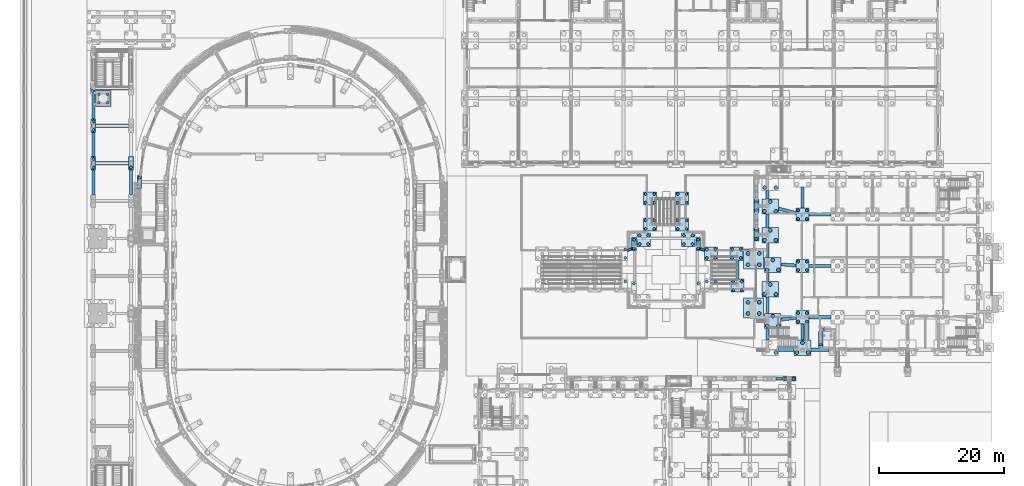
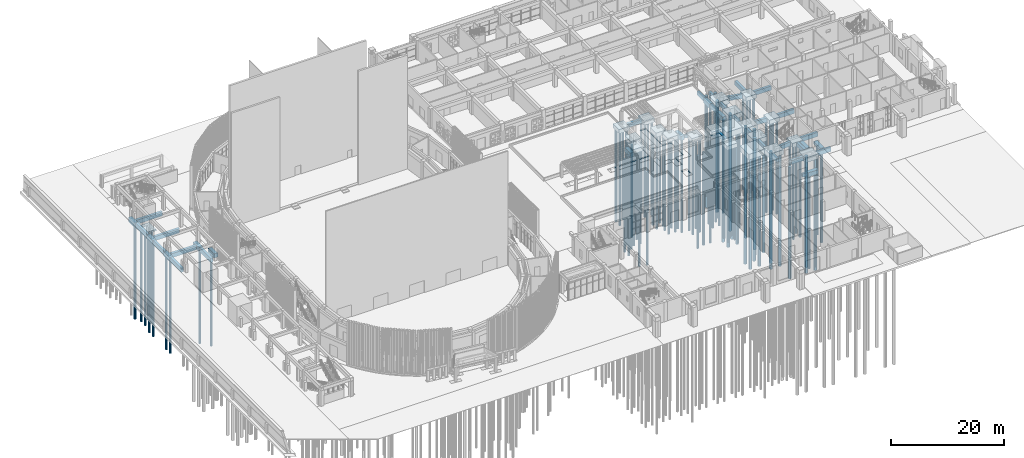
# One storey, part 6 of 112: 107 piles, 63 footings.
"""IFC4 building model written with IfcOpenShell, lengths in metres."""

from ifc_helpers import new_model, si_unit, direction, frame, origin, origin_2d, place, context, subcontext, project, spatial, rectangle, circle, extrude, material, material_profile, profile_set, type_object, element, save


model = new_model("IFC4")

# Units and contexts
model_context = context("Model", 3, precision=1e-05, world=origin(), true_north=direction((0.0, 1.0)))
body_context = subcontext(model_context, "Body", "Model", "MODEL_VIEW")
ifc_project = project(units=[si_unit("LENGTHUNIT", "METRE"), si_unit("AREAUNIT", "SQUARE_METRE"), si_unit("VOLUMEUNIT", "CUBIC_METRE"), si_unit("PLANEANGLEUNIT", "RADIAN"), si_unit("MASSUNIT", "GRAM", prefix="KILO")], contexts=[model_context])

# Site, building, storey
site_placement = place(None, origin())
site = spatial("IfcSite", under=ifc_project, at=site_placement, CompositionType="ELEMENT")
building_placement = place(site_placement, origin())
building = spatial("IfcBuilding", under=site, at=building_placement, Name="Wasatch Bagh Community Centre", CompositionType="ELEMENT")
storey_placement = place(building_placement, origin())
storey = spatial("IfcBuildingStorey", under=building, at=storey_placement, Name="L00", CompositionType="ELEMENT", Elevation=0.0)

# Footings
ifc_material_1 = material(Name="Concrete C30", Category="concrete")
footing_type_1 = type_object("IfcFootingType", Name="CT-F1", PredefinedType="PILE_CAP", material=ifc_material_1)
footing_1_placement = place(storey_placement, frame((6.050048828125, 78.35009765625, -1.7001953125), z_axis=(0.0, 0.0, 1.0), x_axis=(1.0, 0.0, 0.0)))
element("IfcFooting", 1, at=footing_1_placement, inside=storey, type_object=footing_type_1, Name="LC2 pit raft", PredefinedType="PILE_CAP", context=body_context, shape_type="SweptSolid", body=[
    extrude(rectangle(XDim=2.5, YDim=2.5, at=origin_2d()), origin(), (0.0, 0.0, 1.0), 0.300048828125),
])
ifc_material_2 = material(Name="Concrete C35", Category="concrete")
footing_type_2 = type_object("IfcFootingType", Name="FD-GB-A", PredefinedType="FOOTING_BEAM", material=ifc_material_2)
footing_2_placement = place(storey_placement, frame((114.125, 33.550048828125, -0.89990234375), z_axis=(0.0, 0.0, 1.0), x_axis=(1.0, 0.0, 0.0)))
element("IfcFooting", 2, at=footing_2_placement, inside=storey, type_object=footing_type_2, Name="GB ground beam 7", PredefinedType="FOOTING_BEAM", context=body_context, shape_type="SweptSolid", body=[
    extrude(rectangle(XDim=1.050048828125, YDim=0.39990234375, at=origin_2d()), origin(), (0.0, 0.0, 1.0), 0.699951171875),
])
footing_type_3 = type_object("IfcFootingType", Name="FD-GB-B", PredefinedType="FOOTING_BEAM", material=ifc_material_2)
for number, where, z_axis, x_axis, name in (
    (3, (110.449951171875, 58.89990234375, -1.0), (0.0, 0.0, 1.0), (0.0, 1.0, 0.0), "GB ground beam 8"),
    (4, (110.449951171875, 63.5, -1.0), (0.0, 0.0, 1.0), (0.0, 1.0, 0.0), "GB ground beam 9"),
):
    element("IfcFooting", number, at=place(storey_placement, frame(where, z_axis=z_axis, x_axis=x_axis)), inside=storey, type_object=footing_type_3, Name=name, PredefinedType="FOOTING_BEAM", context=body_context, shape_type="SweptSolid", body=[
        extrude(rectangle(XDim=2.5, YDim=0.449951171875, at=origin_2d()), origin(), (0.0, 0.0, 1.0), 0.800048828125),
    ])
footing_3_placement = place(storey_placement, frame((112.199951171875, 40.675048828125, -1.0), z_axis=(0.0, 0.0, 1.0), x_axis=(0.0, 1.0, 0.0)))
element("IfcFooting", 5, at=footing_3_placement, inside=storey, type_object=footing_type_3, Name="GB ground beam 293", PredefinedType="FOOTING_BEAM", context=body_context, shape_type="SweptSolid", body=[
    extrude(rectangle(XDim=1.791015625, YDim=0.449951171875, at=origin_2d()), origin(), (0.0, 0.0, 1.0), 0.800048828125),
])
footing_4_placement = place(storey_placement, frame((112.199951171875, 63.0, -1.0), z_axis=(0.0, 0.0, 1.0), x_axis=(0.0, -1.0, 0.0)))
element("IfcFooting", 6, at=footing_4_placement, inside=storey, type_object=footing_type_3, Name="GB ground beam 301", PredefinedType="FOOTING_BEAM", context=body_context, shape_type="SweptSolid", body=[
    extrude(rectangle(XDim=1.341064453125, YDim=0.449951171875, at=origin_2d()), origin(), (0.0, 0.0, 1.0), 0.800048828125),
])
footing_5_placement = place(storey_placement, frame((112.199951171875, 45.324951171875, -1.0), z_axis=(0.0, 0.0, 1.0), x_axis=(0.0, 1.0, 0.0)))
element("IfcFooting", 7, at=footing_5_placement, inside=storey, type_object=footing_type_3, Name="GB ground beam 308", PredefinedType="FOOTING_BEAM", context=body_context, shape_type="SweptSolid", body=[
    extrude(rectangle(XDim=2.591064453125, YDim=0.449951171875, at=origin_2d()), origin(), (0.0, 0.0, 1.0), 0.800048828125),
])
footing_6_placement = place(storey_placement, frame((112.199951171875, 49.800048828125, -1.0), z_axis=(0.0, 0.0, 1.0), x_axis=(0.0, 1.0, 0.0)))
element("IfcFooting", 8, at=footing_6_placement, inside=storey, type_object=footing_type_3, Name="GB ground beam 309", PredefinedType="FOOTING_BEAM", context=body_context, shape_type="SweptSolid", body=[
    extrude(rectangle(XDim=1.44091796875, YDim=0.449951171875, at=origin_2d()), origin(), (0.0, 0.0, 1.0), 0.800048828125),
])
footing_7_placement = place(storey_placement, frame((112.199951171875, 54.125, -1.0), z_axis=(0.0, 0.0, 1.0), x_axis=(0.0, 1.0, 0.0)))
element("IfcFooting", 9, at=footing_7_placement, inside=storey, type_object=footing_type_3, Name="GB ground beam 310", PredefinedType="FOOTING_BEAM", context=body_context, shape_type="SweptSolid", body=[
    extrude(rectangle(XDim=2.291015625, YDim=0.449951171875, at=origin_2d()), origin(), (0.0, 0.0, 1.0), 0.800048828125),
])
footing_8_placement = place(storey_placement, frame((112.199951171875, 58.800048828125, -1.0), z_axis=(0.0, 0.0, 1.0), x_axis=(0.0, 1.0, 0.0)))
element("IfcFooting", 10, at=footing_8_placement, inside=storey, type_object=footing_type_3, Name="GB ground beam 311", PredefinedType="FOOTING_BEAM", context=body_context, shape_type="SweptSolid", body=[
    extrude(rectangle(XDim=2.14111328125, YDim=0.449951171875, at=origin_2d()), origin(), (0.0, 0.0, 1.0), 0.800048828125),
])
footing_type_4 = type_object("IfcFootingType", Name="FD-GB-C", PredefinedType="FOOTING_BEAM", material=ifc_material_2)
for number, where, z_axis, x_axis, name in (
    (11, (4.5, 65.0, -1.099853515625), (0.0, 0.0, 1.0), (0.0, 1.0, 0.0), "GB ground beam 30"),
    (12, (10.5, 65.0, -1.099853515625), (0.0, 0.0, 1.0), (0.0, 1.0, 0.0), "GB ground beam 31"),
):
    element("IfcFooting", number, at=place(storey_placement, frame(where, z_axis=z_axis, x_axis=x_axis)), inside=storey, type_object=footing_type_4, Name=name, PredefinedType="FOOTING_BEAM", context=body_context, shape_type="SweptSolid", body=[
        extrude(rectangle(XDim=3.89990234375, YDim=0.5, at=origin_2d()), origin(), (0.0, 0.0, 1.0), 0.89990234375),
    ])
footing_9_placement = place(storey_placement, frame((7.5, 68.0, -1.099853515625), z_axis=(0.0, 0.0, 1.0), x_axis=(1.0, 0.0, 0.0)))
element("IfcFooting", 13, at=footing_9_placement, inside=storey, type_object=footing_type_4, Name="GB ground beam 32", PredefinedType="FOOTING_BEAM", context=body_context, shape_type="SweptSolid", body=[
    extrude(rectangle(XDim=5.25, YDim=0.5, at=origin_2d()), origin(), (0.0, 0.0, 1.0), 0.89990234375),
])
footing_10_placement = place(storey_placement, frame((4.5, 71.0, -1.099853515625), z_axis=(0.0, 0.0, 1.0), x_axis=(0.0, 1.0, 0.0)))
element("IfcFooting", 14, at=footing_10_placement, inside=storey, type_object=footing_type_4, Name="GB ground beam 33", PredefinedType="FOOTING_BEAM", context=body_context, shape_type="SweptSolid", body=[
    extrude(rectangle(XDim=3.89990234375, YDim=0.5, at=origin_2d()), origin(), (0.0, 0.0, 1.0), 0.89990234375),
])
footing_11_placement = place(storey_placement, frame((7.5, 74.0, -1.099853515625), z_axis=(0.0, 0.0, 1.0), x_axis=(1.0, 0.0, 0.0)))
element("IfcFooting", 15, at=footing_11_placement, inside=storey, type_object=footing_type_4, Name="GB ground beam 35", PredefinedType="FOOTING_BEAM", context=body_context, shape_type="SweptSolid", body=[
    extrude(rectangle(XDim=5.25, YDim=0.5, at=origin_2d()), origin(), (0.0, 0.0, 1.0), 0.89990234375),
])
footing_12_placement = place(storey_placement, frame((4.5, 77.112548828125, -1.099853515625), z_axis=(0.0, 0.0, 1.0), x_axis=(0.0, 1.0, 0.0)))
element("IfcFooting", 16, at=footing_12_placement, inside=storey, type_object=footing_type_4, Name="GB ground beam 36", PredefinedType="FOOTING_BEAM", context=body_context, shape_type="SweptSolid", body=[
    extrude(rectangle(XDim=4.125, YDim=0.5, at=origin_2d()), origin(), (0.0, 0.0, 1.0), 0.89990234375),
])
footing_13_placement = place(storey_placement, frame((7.4375, 80.0, -1.099853515625), z_axis=(0.0, 0.0, 1.0), x_axis=(-1.0, 0.0, 0.0)))
element("IfcFooting", 17, at=footing_13_placement, inside=storey, type_object=footing_type_4, Name="GB ground beam 38", PredefinedType="FOOTING_BEAM", context=body_context, shape_type="SweptSolid", body=[
    extrude(rectangle(XDim=5.375, YDim=0.5, at=origin_2d()), origin(), (0.0, 0.0, 1.0), 0.89990234375),
])
footing_14_placement = place(storey_placement, frame((120.60009765625, 43.39990234375, -1.099853515625), z_axis=(0.0, 0.0, 1.0), x_axis=(1.0, 0.0, 0.0)))
element("IfcFooting", 18, at=footing_14_placement, inside=storey, type_object=footing_type_4, Name="GB ground beam 264", PredefinedType="FOOTING_BEAM", context=body_context, shape_type="SweptSolid", body=[
    extrude(rectangle(XDim=3.5, YDim=0.5, at=origin_2d()), origin(), (0.0, 0.0, 1.0), 0.89990234375),
])
footing_15_placement = place(storey_placement, frame((117.800048828125, 41.064697265625, -1.099853515625), z_axis=(0.0, 0.0, 1.0), x_axis=(0.0, -1.0, 0.0)))
element("IfcFooting", 19, at=footing_15_placement, inside=storey, type_object=footing_type_4, Name="GB ground beam 265", PredefinedType="FOOTING_BEAM", context=body_context, shape_type="SweptSolid", body=[
    extrude(rectangle(XDim=2.570556640625, YDim=0.5, at=origin_2d()), origin(), (0.0, 0.0, 1.0), 0.89990234375),
])
footing_16_placement = place(storey_placement, frame((115.574951171875, 43.16162109375, -1.099853515625), z_axis=(0.0, 0.0, 1.0), x_axis=(-0.99430915392, -0.106533123629, 0.0)))
element("IfcFooting", 20, at=footing_16_placement, inside=storey, type_object=footing_type_4, Name="GB ground beam 266", PredefinedType="FOOTING_BEAM", context=body_context, shape_type="SweptSolid", body=[
    extrude(rectangle(XDim=2.363525390625, YDim=0.5, at=origin_2d()), origin(), (0.0, 0.0, 1.0), 0.89990234375),
])
footing_17_placement = place(storey_placement, frame((120.60009765625, 51.60009765625, -1.099853515625), z_axis=(0.0, 0.0, 1.0), x_axis=(1.0, 0.0, 0.0)))
element("IfcFooting", 21, at=footing_17_placement, inside=storey, type_object=footing_type_4, Name="GB ground beam 275", PredefinedType="FOOTING_BEAM", context=body_context, shape_type="SweptSolid", body=[
    extrude(rectangle(XDim=3.5, YDim=0.5, at=origin_2d()), origin(), (0.0, 0.0, 1.0), 0.89990234375),
])
footing_18_placement = place(storey_placement, frame((115.574951171875, 51.759033203125, -1.099853515625), z_axis=(0.0, 0.0, 1.0), x_axis=(-0.997458699831, 0.071247049988, 0.0)))
element("IfcFooting", 22, at=footing_18_placement, inside=storey, type_object=footing_type_4, Name="GB ground beam 276", PredefinedType="FOOTING_BEAM", context=body_context, shape_type="SweptSolid", body=[
    extrude(rectangle(XDim=2.35595703125, YDim=0.5, at=origin_2d()), origin(), (0.0, 0.0, 1.0), 0.89990234375),
])
footing_19_placement = place(storey_placement, frame((120.60009765625, 59.800048828125, -1.099853515625), z_axis=(0.0, 0.0, 1.0), x_axis=(1.0, 0.0, 0.0)))
element("IfcFooting", 23, at=footing_19_placement, inside=storey, type_object=footing_type_4, Name="GB ground beam 281", PredefinedType="FOOTING_BEAM", context=body_context, shape_type="SweptSolid", body=[
    extrude(rectangle(XDim=3.5, YDim=0.5, at=origin_2d()), origin(), (0.0, 0.0, 1.0), 0.89990234375),
])
footing_20_placement = place(storey_placement, frame((117.800048828125, 62.53515625, -1.099853515625), z_axis=(0.0, 0.0, 1.0), x_axis=(0.0, 1.0, 0.0)))
element("IfcFooting", 24, at=footing_20_placement, inside=storey, type_object=footing_type_4, Name="GB ground beam 282", PredefinedType="FOOTING_BEAM", context=body_context, shape_type="SweptSolid", body=[
    extrude(rectangle(XDim=3.37060546875, YDim=0.5, at=origin_2d()), origin(), (0.0, 0.0, 1.0), 0.89990234375),
])
footing_21_placement = place(storey_placement, frame((115.375, 60.40625, -1.099853515625), z_axis=(0.0, 0.0, 1.0), x_axis=(-0.970142500145, 0.242535625038, 0.0)))
element("IfcFooting", 25, at=footing_21_placement, inside=storey, type_object=footing_type_4, Name="GB ground beam 283", PredefinedType="FOOTING_BEAM", context=body_context, shape_type="SweptSolid", body=[
    extrude(rectangle(XDim=2.834716796875, YDim=0.5, at=origin_2d()), origin(), (0.0, 0.0, 1.0), 0.89990234375),
])
footing_22_placement = place(storey_placement, frame((115.22509765625, 38.199951171875, -1.099853515625), z_axis=(0.0, 0.0, 1.0), x_axis=(1.0, 0.0, 0.0)))
element("IfcFooting", 26, at=footing_22_placement, inside=storey, type_object=footing_type_4, Name="GB ground beam 292", PredefinedType="FOOTING_BEAM", context=body_context, shape_type="SweptSolid", body=[
    extrude(rectangle(XDim=2.449951171875, YDim=0.5, at=origin_2d()), origin(), (0.0, 0.0, 1.0), 0.89990234375),
])
footing_23_placement = place(storey_placement, frame((120.60009765625, 38.199951171875, -1.099853515625), z_axis=(0.0, 0.0, 1.0), x_axis=(1.0, 0.0, 0.0)))
element("IfcFooting", 27, at=footing_23_placement, inside=storey, type_object=footing_type_4, Name="GB ground beam 294", PredefinedType="FOOTING_BEAM", context=body_context, shape_type="SweptSolid", body=[
    extrude(rectangle(XDim=2.89990234375, YDim=0.5, at=origin_2d()), origin(), (0.0, 0.0, 1.0), 0.89990234375),
])
for number, where, z_axis, x_axis, name in (
    (28, (107.39990234375, 51.0, -1.099853515625), (0.0, 0.0, 1.0), (0.0, 1.0, 0.0), "GB ground beam 330"),
    (29, (96.0, 62.39990234375, -1.099853515625), (0.0, 0.0, 1.0), (1.0, 0.0, 0.0), "GB ground beam 333"),
):
    element("IfcFooting", number, at=place(storey_placement, frame(where, z_axis=z_axis, x_axis=x_axis)), inside=storey, type_object=footing_type_4, Name=name, PredefinedType="FOOTING_BEAM", context=body_context, shape_type="SweptSolid", body=[
        extrude(rectangle(XDim=3.0, YDim=0.5, at=origin_2d()), origin(), (0.0, 0.0, 1.0), 0.89990234375),
    ])
footing_type_5 = type_object("IfcFootingType", Name="FD-GB-S", PredefinedType="FOOTING_BEAM", material=ifc_material_2)
for number, where, z_axis, x_axis, name in (
    (30, (90.175048828125, 54.206298828125, -0.800048828125), (0.0, 0.0, 1.0), (0.90248103778, 0.430729586222, 0.0), "GB ground beam 320"),
    (31, (101.824951171875, 54.206298828125, -0.800048828125), (0.0, 0.0, 1.0), (-0.90248103778, 0.430729586222, 0.0), "GB ground beam 329"),
):
    element("IfcFooting", number, at=place(storey_placement, frame(where, z_axis=z_axis, x_axis=x_axis)), inside=storey, type_object=footing_type_5, Name=name, PredefinedType="FOOTING_BEAM", context=body_context, shape_type="SweptSolid", body=[
        extrude(rectangle(XDim=0.72021484375, YDim=0.35009765625, at=origin_2d()), origin(), (0.0, 0.0, 1.0), 0.60009765625),
    ])

# Piles
ifc_material_profile_1 = material_profile(ifc_material_1, circle(Radius=0.22509765625, at=origin_2d()), Name="RC D450")
ifc_profile_set_1 = profile_set([ifc_material_profile_1], Name="Concrete C30")
pile_type_1 = type_object("IfcPileType", Name="FD-P450", PredefinedType="BORED", material=ifc_profile_set_1)
for number, where, z_axis, x_axis, name in (
    (32, (5.375, 77.675048828125, -1.699951171875), (0.0, 0.0, -1.0), (1.0, 0.0, 0.0), "CT.pile.L00.LIFT2.1"),
    (33, (6.72509765625, 77.675048828125, -1.699951171875), (0.0, 0.0, -1.0), (1.0, 0.0, 0.0), "CT.pile.L00.LIFT2.2"),
    (34, (5.375, 79.02490234375, -1.699951171875), (0.0, 0.0, -1.0), (1.0, 0.0, 0.0), "CT.pile.L00.LIFT2.3"),
    (35, (6.72509765625, 79.02490234375, -1.699951171875), (0.0, 0.0, -1.0), (1.0, 0.0, 0.0), "CT.pile.L00.LIFT2.4"),
    (36, (115.02490234375, 33.550048828125, -1.10009765625), (0.0, 0.0, -1.0), (1.0, 0.0, 0.0), "P pile 13.1"),
    (37, (116.375, 33.550048828125, -1.10009765625), (0.0, 0.0, -1.0), (1.0, 0.0, 0.0), "P pile 13.2"),
    (38, (110.449951171875, 55.925048828125, -1.10009765625), (0.0, 0.0, -1.0), (1.0, 0.0, 0.0), "P pile 16.1"),
    (39, (110.449951171875, 57.27490234375, -1.10009765625), (0.0, 0.0, -1.0), (1.0, 0.0, 0.0), "P pile 16.2"),
    (40, (110.449951171875, 60.52490234375, -1.10009765625), (0.0, 0.0, -1.0), (1.0, 0.0, 0.0), "P pile 17.1"),
    (41, (110.449951171875, 61.875, -1.10009765625), (0.0, 0.0, -1.0), (1.0, 0.0, 0.0), "P pile 17.2"),
    (42, (4.5, 67.324951171875, -1.10009765625), (0.0, 0.0, -1.0), (1.0, 0.0, 0.0), "P pile 41.1"),
    (43, (4.5, 68.675048828125, -1.10009765625), (0.0, 0.0, -1.0), (1.0, 0.0, 0.0), "P pile 41.2"),
    (44, (10.5, 67.324951171875, -1.10009765625), (0.0, 0.0, -1.0), (1.0, 0.0, 0.0), "P pile 42.1"),
    (45, (4.5, 73.324951171875, -1.10009765625), (0.0, 0.0, -1.0), (1.0, 0.0, 0.0), "P pile 43.1"),
    (46, (4.5, 74.675048828125, -1.10009765625), (0.0, 0.0, -1.0), (1.0, 0.0, 0.0), "P pile 43.2"),
    (47, (4.375, 79.550048828125, -1.10009765625), (0.0, 0.0, -1.0), (1.0, 0.0, 0.0), "P pile 46.1"),
    (48, (11.85009765625, 65.675048828125, -1.10009765625), (0.0, 0.0, -1.0), (1.0, 0.0, 0.0), "P pile 125.2"),
    (49, (117.125, 42.72509765625, -1.10009765625), (0.0, 0.0, -1.0), (1.0, 0.0, 0.0), "P pile 266.1"),
    (50, (118.47509765625, 42.72509765625, -1.10009765625), (0.0, 0.0, -1.0), (1.0, 0.0, 0.0), "P pile 266.2"),
    (51, (117.125, 44.074951171875, -1.10009765625), (0.0, 0.0, -1.0), (1.0, 0.0, 0.0), "P pile 266.3"),
    (52, (118.47509765625, 44.074951171875, -1.10009765625), (0.0, 0.0, -1.0), (1.0, 0.0, 0.0), "P pile 266.4"),
    (53, (117.125, 50.925048828125, -1.10009765625), (0.0, 0.0, -1.0), (1.0, 0.0, 0.0), "P pile 273.1"),
    (54, (118.47509765625, 50.925048828125, -1.10009765625), (0.0, 0.0, -1.0), (1.0, 0.0, 0.0), "P pile 273.2"),
    (55, (117.125, 52.27490234375, -1.10009765625), (0.0, 0.0, -1.0), (1.0, 0.0, 0.0), "P pile 273.3"),
    (56, (118.47509765625, 52.27490234375, -1.10009765625), (0.0, 0.0, -1.0), (1.0, 0.0, 0.0), "P pile 273.4"),
    (57, (117.125, 59.125, -1.10009765625), (0.0, 0.0, -1.0), (1.0, 0.0, 0.0), "P pile 282.1"),
    (58, (118.47509765625, 59.125, -1.10009765625), (0.0, 0.0, -1.0), (1.0, 0.0, 0.0), "P pile 282.2"),
    (59, (117.125, 60.47509765625, -1.10009765625), (0.0, 0.0, -1.0), (1.0, 0.0, 0.0), "P pile 282.3"),
    (60, (118.47509765625, 60.47509765625, -1.10009765625), (0.0, 0.0, -1.0), (1.0, 0.0, 0.0), "P pile 282.4"),
    (61, (90.875, 48.77490234375, -1.10009765625), (0.0, 0.0, -1.0), (1.0, 0.0, 0.0), "P pile 298.2"),
    (62, (101.125, 48.77490234375, -1.10009765625), (0.0, 0.0, -1.0), (1.0, 0.0, 0.0), "P pile 299.2"),
    (63, (89.47509765625, 49.125, -1.10009765625), (0.0, 0.0, -1.0), (1.0, 0.0, 0.0), "P pile 303.4"),
    (64, (102.52490234375, 49.125, -1.10009765625), (0.0, 0.0, -1.0), (1.0, 0.0, 0.0), "P pile 304.3"),
    (65, (103.875, 49.125, -1.10009765625), (0.0, 0.0, -1.0), (1.0, 0.0, 0.0), "P pile 304.4"),
    (66, (106.72509765625, 47.77490234375, -1.10009765625), (0.0, 0.0, -1.0), (1.0, 0.0, 0.0), "P pile 305.1"),
    (67, (108.074951171875, 47.77490234375, -1.10009765625), (0.0, 0.0, -1.0), (1.0, 0.0, 0.0), "P pile 305.2"),
    (68, (106.72509765625, 49.125, -1.10009765625), (0.0, 0.0, -1.0), (1.0, 0.0, 0.0), "P pile 305.3"),
    (69, (108.074951171875, 49.125, -1.10009765625), (0.0, 0.0, -1.0), (1.0, 0.0, 0.0), "P pile 305.4"),
    (70, (89.47509765625, 52.875, -1.10009765625), (0.0, 0.0, -1.0), (1.0, 0.0, 0.0), "P pile 309.2"),
    (71, (89.47509765625, 54.22509765625, -1.10009765625), (0.0, 0.0, -1.0), (1.0, 0.0, 0.0), "P pile 309.4"),
    (72, (102.52490234375, 52.875, -1.10009765625), (0.0, 0.0, -1.0), (1.0, 0.0, 0.0), "P pile 310.1"),
    (73, (103.875, 52.875, -1.10009765625), (0.0, 0.0, -1.0), (1.0, 0.0, 0.0), "P pile 310.2"),
    (74, (102.52490234375, 54.22509765625, -1.10009765625), (0.0, 0.0, -1.0), (1.0, 0.0, 0.0), "P pile 310.3"),
    (75, (103.875, 54.22509765625, -1.10009765625), (0.0, 0.0, -1.0), (1.0, 0.0, 0.0), "P pile 310.4"),
    (76, (106.574951171875, 52.875, -1.10009765625), (0.0, 0.0, -1.0), (1.0, 0.0, 0.0), "P pile 311.1"),
    (77, (107.925048828125, 52.875, -1.10009765625), (0.0, 0.0, -1.0), (1.0, 0.0, 0.0), "P pile 311.2"),
    (78, (106.574951171875, 54.22509765625, -1.10009765625), (0.0, 0.0, -1.0), (1.0, 0.0, 0.0), "P pile 311.3"),
    (79, (107.925048828125, 54.22509765625, -1.10009765625), (0.0, 0.0, -1.0), (1.0, 0.0, 0.0), "P pile 311.4"),
    (80, (90.875, 54.425048828125, -1.10009765625), (0.0, 0.0, -1.0), (1.0, 0.0, 0.0), "P pile 312.1"),
    (81, (90.875, 55.77490234375, -1.10009765625), (0.0, 0.0, -1.0), (1.0, 0.0, 0.0), "P pile 312.2"),
    (82, (101.125, 54.425048828125, -1.10009765625), (0.0, 0.0, -1.0), (1.0, 0.0, 0.0), "P pile 313.1"),
    (83, (101.125, 55.77490234375, -1.10009765625), (0.0, 0.0, -1.0), (1.0, 0.0, 0.0), "P pile 313.2"),
    (84, (91.77490234375, 55.10009765625, -1.10009765625), (0.0, 0.0, -1.0), (1.0, 0.0, 0.0), "P pile 314.1"),
    (85, (93.125, 55.10009765625, -1.10009765625), (0.0, 0.0, -1.0), (1.0, 0.0, 0.0), "P pile 314.2"),
    (86, (91.77490234375, 56.449951171875, -1.10009765625), (0.0, 0.0, -1.0), (1.0, 0.0, 0.0), "P pile 314.3"),
    (87, (93.125, 56.449951171875, -1.10009765625), (0.0, 0.0, -1.0), (1.0, 0.0, 0.0), "P pile 314.4"),
    (88, (98.875, 55.10009765625, -1.10009765625), (0.0, 0.0, -1.0), (1.0, 0.0, 0.0), "P pile 315.1"),
    (89, (100.22509765625, 55.10009765625, -1.10009765625), (0.0, 0.0, -1.0), (1.0, 0.0, 0.0), "P pile 315.2"),
    (90, (98.875, 56.449951171875, -1.10009765625), (0.0, 0.0, -1.0), (1.0, 0.0, 0.0), "P pile 315.3"),
    (91, (100.22509765625, 56.449951171875, -1.10009765625), (0.0, 0.0, -1.0), (1.0, 0.0, 0.0), "P pile 315.4"),
    (92, (92.77490234375, 57.52490234375, -1.10009765625), (0.0, 0.0, -1.0), (1.0, 0.0, 0.0), "P pile 316.1"),
    (93, (94.125, 57.52490234375, -1.10009765625), (0.0, 0.0, -1.0), (1.0, 0.0, 0.0), "P pile 316.2"),
    (94, (92.77490234375, 58.875, -1.10009765625), (0.0, 0.0, -1.0), (1.0, 0.0, 0.0), "P pile 316.3"),
    (95, (94.125, 58.875, -1.10009765625), (0.0, 0.0, -1.0), (1.0, 0.0, 0.0), "P pile 316.4"),
    (96, (97.875, 57.52490234375, -1.10009765625), (0.0, 0.0, -1.0), (1.0, 0.0, 0.0), "P pile 317.1"),
    (97, (99.22509765625, 57.52490234375, -1.10009765625), (0.0, 0.0, -1.0), (1.0, 0.0, 0.0), "P pile 317.2"),
    (98, (97.875, 58.875, -1.10009765625), (0.0, 0.0, -1.0), (1.0, 0.0, 0.0), "P pile 317.3"),
    (99, (99.22509765625, 58.875, -1.10009765625), (0.0, 0.0, -1.0), (1.0, 0.0, 0.0), "P pile 317.4"),
    (100, (92.77490234375, 61.72509765625, -1.10009765625), (0.0, 0.0, -1.0), (1.0, 0.0, 0.0), "P pile 318.1"),
    (101, (94.125, 61.72509765625, -1.10009765625), (0.0, 0.0, -1.0), (1.0, 0.0, 0.0), "P pile 318.2"),
    (102, (92.77490234375, 63.074951171875, -1.10009765625), (0.0, 0.0, -1.0), (1.0, 0.0, 0.0), "P pile 318.3"),
    (103, (94.125, 63.074951171875, -1.10009765625), (0.0, 0.0, -1.0), (1.0, 0.0, 0.0), "P pile 318.4"),
    (104, (97.875, 61.72509765625, -1.10009765625), (0.0, 0.0, -1.0), (1.0, 0.0, 0.0), "P pile 319.1"),
    (105, (99.22509765625, 61.72509765625, -1.10009765625), (0.0, 0.0, -1.0), (1.0, 0.0, 0.0), "P pile 319.2"),
    (106, (97.875, 63.074951171875, -1.10009765625), (0.0, 0.0, -1.0), (1.0, 0.0, 0.0), "P pile 319.3"),
    (107, (99.22509765625, 63.074951171875, -1.10009765625), (0.0, 0.0, -1.0), (1.0, 0.0, 0.0), "P pile 319.4"),
    (108, (121.25, 41.5, -0.800048828125), (0.0, 0.0, -1.0), (1.0, 0.0, 0.0), "P pile SF47.1"),
    (109, (120.699951171875, 39.0, -0.800048828125), (0.0, 0.0, -1.0), (1.0, 0.0, 0.0), "P pile SF48.1"),
):
    element("IfcPile", number, at=place(storey_placement, frame(where, z_axis=z_axis, x_axis=x_axis)), inside=storey, type_object=pile_type_1, Name=name, PredefinedType="BORED", context=body_context, shape_type="SweptSolid", body=[
        extrude(circle(Radius=0.22509765625, at=origin_2d()), origin(), (0.0, 0.0, 1.0), 20.0),
    ])
ifc_material_profile_2 = material_profile(ifc_material_1, circle(Radius=0.300048828125, at=origin_2d()), Name="RC D600")
ifc_profile_set_2 = profile_set([ifc_material_profile_2], Name="Concrete C30")
pile_type_2 = type_object("IfcPileType", Name="FD-P600", PredefinedType="BORED", material=ifc_profile_set_2)
for number, where, z_axis, x_axis, name in (
    (110, (110.89990234375, 44.0, -1.39990234375), (0.0, 0.0, -1.0), (1.0, 0.0, 0.0), "SHPQ.pile.L00.PIER1.1"),
    (111, (110.89990234375, 45.800048828125, -1.39990234375), (0.0, 0.0, -1.0), (1.0, 0.0, 0.0), "SHPQ.pile.L00.PIER1.2"),
    (112, (109.10009765625, 44.0, -1.39990234375), (0.0, 0.0, -1.0), (1.0, 0.0, 0.0), "SHPQ.pile.L00.PIER1.3"),
    (113, (109.10009765625, 45.800048828125, -1.39990234375), (0.0, 0.0, -1.0), (1.0, 0.0, 0.0), "SHPQ.pile.L00.PIER1.4"),
    (114, (110.89990234375, 51.800048828125, -1.39990234375), (0.0, 0.0, -1.0), (1.0, 0.0, 0.0), "SHPQ.pile.L00.PIER2.1"),
    (115, (110.89990234375, 53.60009765625, -1.39990234375), (0.0, 0.0, -1.0), (1.0, 0.0, 0.0), "SHPQ.pile.L00.PIER2.2"),
    (116, (109.10009765625, 51.800048828125, -1.39990234375), (0.0, 0.0, -1.0), (1.0, 0.0, 0.0), "SHPQ.pile.L00.PIER2.3"),
    (117, (109.10009765625, 53.60009765625, -1.39990234375), (0.0, 0.0, -1.0), (1.0, 0.0, 0.0), "SHPQ.pile.L00.PIER2.4"),
    (118, (113.550048828125, 37.7705078125, -1.25), (0.0, 0.0, -1.0), (1.0, 0.0, 0.0), "P pile 257.2"),
    (119, (116.89990234375, 37.7705078125, -1.25), (0.0, 0.0, -1.0), (1.0, 0.0, 0.0), "P pile 258.1"),
    (120, (118.699951171875, 37.7705078125, -1.25), (0.0, 0.0, -1.0), (1.0, 0.0, 0.0), "P pile 258.2"),
    (121, (117.800048828125, 39.32958984375, -1.25), (0.0, 0.0, -1.0), (1.0, 0.0, 0.0), "P pile 258.3"),
    (122, (112.14990234375, 42.0205078125, -1.25), (0.0, 0.0, -1.0), (1.0, 0.0, 0.0), "P pile 264.1"),
    (123, (113.949951171875, 42.0205078125, -1.25), (0.0, 0.0, -1.0), (1.0, 0.0, 0.0), "P pile 264.2"),
    (124, (113.050048828125, 43.57958984375, -1.25), (0.0, 0.0, -1.0), (1.0, 0.0, 0.0), "P pile 264.3"),
    (125, (111.75, 47.070556640625, -1.25), (0.0, 0.0, -1.0), (1.0, 0.0, 0.0), "P pile 272.1"),
    (126, (113.550048828125, 47.070556640625, -1.25), (0.0, 0.0, -1.0), (1.0, 0.0, 0.0), "P pile 272.2"),
    (127, (112.64990234375, 48.62939453125, -1.25), (0.0, 0.0, -1.0), (1.0, 0.0, 0.0), "P pile 272.3"),
    (128, (112.14990234375, 50.970458984375, -1.25), (0.0, 0.0, -1.0), (1.0, 0.0, 0.0), "P pile 278.1"),
    (129, (113.949951171875, 50.970458984375, -1.25), (0.0, 0.0, -1.0), (1.0, 0.0, 0.0), "P pile 278.2"),
    (130, (113.050048828125, 52.529541015625, -1.25), (0.0, 0.0, -1.0), (1.0, 0.0, 0.0), "P pile 278.3"),
    (131, (111.75, 55.720458984375, -1.25), (0.0, 0.0, -1.0), (1.0, 0.0, 0.0), "P pile 281.1"),
    (132, (113.550048828125, 55.720458984375, -1.25), (0.0, 0.0, -1.0), (1.0, 0.0, 0.0), "P pile 281.2"),
    (133, (112.64990234375, 57.279541015625, -1.25), (0.0, 0.0, -1.0), (1.0, 0.0, 0.0), "P pile 281.3"),
    (134, (111.75, 60.320556640625, -1.25), (0.0, 0.0, -1.0), (1.0, 0.0, 0.0), "P pile 287.1"),
    (135, (113.550048828125, 60.320556640625, -1.25), (0.0, 0.0, -1.0), (1.0, 0.0, 0.0), "P pile 287.2"),
    (136, (112.64990234375, 61.87939453125, -1.25), (0.0, 0.0, -1.0), (1.0, 0.0, 0.0), "P pile 287.3"),
    (137, (111.75, 64.12060546875, -1.25), (0.0, 0.0, -1.0), (1.0, 0.0, 0.0), "P pile 289.1"),
    (138, (113.550048828125, 64.12060546875, -1.25), (0.0, 0.0, -1.0), (1.0, 0.0, 0.0), "P pile 289.2"),
):
    element("IfcPile", number, at=place(storey_placement, frame(where, z_axis=z_axis, x_axis=x_axis)), inside=storey, type_object=pile_type_2, Name=name, PredefinedType="BORED", context=body_context, shape_type="SweptSolid", body=[
        extrude(circle(Radius=0.300048828125, at=origin_2d()), origin(), (0.0, 0.0, 1.0), 24.0),
    ])

# Footings
footing_type_6 = type_object("IfcFootingType", Name="FD-PC2", PredefinedType="PILE_CAP", material=ifc_material_1)
for number, where, z_axis, x_axis, name in (
    (139, (115.699951171875, 33.550048828125, -1.099853515625), (0.0, 0.0, 1.0), (1.0, 0.0, 0.0), "PC cap 13"),
    (140, (110.449951171875, 56.60009765625, -1.099853515625), (0.0, 0.0, 1.0), (0.0, 1.0, 0.0), "PC cap 16"),
    (141, (110.449951171875, 61.199951171875, -1.099853515625), (0.0, 0.0, 1.0), (0.0, 1.0, 0.0), "PC cap 17"),
    (142, (4.5, 68.0, -1.099853515625), (0.0, 0.0, 1.0), (0.0, 1.0, 0.0), "PC cap 41"),
    (143, (10.5, 68.0, -1.099853515625), (0.0, 0.0, 1.0), (0.0, 1.0, 0.0), "PC cap 42"),
    (144, (4.5, 74.0, -1.099853515625), (0.0, 0.0, 1.0), (0.0, 1.0, 0.0), "PC cap 43"),
    (145, (4.375, 80.22509765625, -1.099853515625), (0.0, 0.0, 1.0), (0.0, 1.0, 0.0), "PC cap 46"),
    (146, (11.85009765625, 65.0, -1.099853515625), (0.0, 0.0, 1.0), (0.0, 1.0, 0.0), "PC cap 125"),
    (147, (90.875, 55.10009765625, -1.099853515625), (0.0, 0.0, 1.0), (0.0, 1.0, 0.0), "PC cap 312"),
    (148, (101.125, 55.10009765625, -1.099853515625), (0.0, 0.0, 1.0), (0.0, 1.0, 0.0), "PC cap 313"),
):
    element("IfcFooting", number, at=place(storey_placement, frame(where, z_axis=z_axis, x_axis=x_axis)), inside=storey, type_object=footing_type_6, Name=name, PredefinedType="PILE_CAP", context=body_context, shape_type="SweptSolid", body=[
        extrude(rectangle(XDim=2.10009765625, YDim=0.75, at=origin_2d()), origin(), (0.0, 0.0, 1.0), 0.89990234375),
    ])
footing_type_7 = type_object("IfcFootingType", Name="FD-PC4", PredefinedType="PILE_CAP", material=ifc_material_1)
for number, where, z_axis, x_axis, name in (
    (149, (117.800048828125, 43.39990234375, -1.099853515625), (0.0, 0.0, 1.0), (1.0, 0.0, 0.0), "PC cap 266"),
    (150, (117.800048828125, 51.60009765625, -1.099853515625), (0.0, 0.0, 1.0), (1.0, 0.0, 0.0), "PC cap 273"),
    (151, (117.800048828125, 59.800048828125, -1.099853515625), (0.0, 0.0, 1.0), (1.0, 0.0, 0.0), "PC cap 282"),
    (152, (107.39990234375, 48.449951171875, -1.099853515625), (0.0, 0.0, 1.0), (1.0, 0.0, 0.0), "PC cap 305"),
    (153, (103.199951171875, 53.550048828125, -1.099853515625), (0.0, 0.0, 1.0), (1.0, 0.0, 0.0), "PC cap 310"),
    (154, (107.25, 53.550048828125, -1.099853515625), (0.0, 0.0, 1.0), (1.0, 0.0, 0.0), "PC cap 311"),
    (155, (92.449951171875, 55.77490234375, -1.099853515625), (0.0, 0.0, 1.0), (1.0, 0.0, 0.0), "PC cap 314"),
    (156, (99.550048828125, 55.77490234375, -1.099853515625), (0.0, 0.0, 1.0), (1.0, 0.0, 0.0), "PC cap 315"),
    (157, (93.449951171875, 58.199951171875, -1.099853515625), (0.0, 0.0, 1.0), (1.0, 0.0, 0.0), "PC cap 316"),
    (158, (98.550048828125, 58.199951171875, -1.099853515625), (0.0, 0.0, 1.0), (1.0, 0.0, 0.0), "PC cap 317"),
    (159, (93.449951171875, 62.39990234375, -1.099853515625), (0.0, 0.0, 1.0), (1.0, 0.0, 0.0), "PC cap 318"),
    (160, (98.550048828125, 62.39990234375, -1.099853515625), (0.0, 0.0, 1.0), (1.0, 0.0, 0.0), "PC cap 319"),
):
    element("IfcFooting", number, at=place(storey_placement, frame(where, z_axis=z_axis, x_axis=x_axis)), inside=storey, type_object=footing_type_7, Name=name, PredefinedType="PILE_CAP", context=body_context, shape_type="SweptSolid", body=[
        extrude(rectangle(XDim=2.10009765625, YDim=2.10009765625, at=origin_2d()), origin(), (0.0, 0.0, 1.0), 0.89990234375),
    ])
footing_type_8 = type_object("IfcFootingType", Name="FD-PC5", PredefinedType="PILE_CAP", material=ifc_material_1)
for number, where, z_axis, x_axis, name in (
    (161, (117.800048828125, 38.550048828125, -1.25), (0.0, 0.0, 1.0), (1.0, 0.0, 0.0), "PC cap 258"),
    (162, (113.050048828125, 42.800048828125, -1.25), (0.0, 0.0, 1.0), (1.0, 0.0, 0.0), "PC cap 264"),
    (163, (112.64990234375, 47.85009765625, -1.25), (0.0, 0.0, 1.0), (1.0, 0.0, 0.0), "PC cap 272"),
    (164, (113.050048828125, 51.75, -1.25), (0.0, 0.0, 1.0), (1.0, 0.0, 0.0), "PC cap 278"),
    (165, (112.64990234375, 56.5, -1.25), (0.0, 0.0, 1.0), (1.0, 0.0, 0.0), "PC cap 281"),
    (166, (112.64990234375, 61.10009765625, -1.25), (0.0, 0.0, 1.0), (1.0, 0.0, 0.0), "PC cap 287"),
):
    element("IfcFooting", number, at=place(storey_placement, frame(where, z_axis=z_axis, x_axis=x_axis)), inside=storey, type_object=footing_type_8, Name=name, PredefinedType="PILE_CAP", context=body_context, shape_type="SweptSolid", body=[
        extrude(rectangle(XDim=2.699951171875, YDim=2.458984375, at=origin_2d()), origin(), (0.0, 0.0, 1.0), 1.050048828125),
    ])
footing_type_9 = type_object("IfcFootingType", Name="FD-SF3", PredefinedType="STRIP_FOOTING", material=ifc_material_1)
footing_24_placement = place(storey_placement, frame((120.699951171875, 39.83740234375, -0.800048828125), z_axis=(0.0, 0.0, 1.0), x_axis=(0.0, 1.0, 0.0)))
element("IfcFooting", 167, at=footing_24_placement, inside=storey, type_object=footing_type_9, Name="SF wall footing 48", PredefinedType="STRIP_FOOTING", context=body_context, shape_type="SweptSolid", body=[
    extrude(rectangle(XDim=2.574951171875, YDim=0.75, at=origin_2d()), origin(), (0.0, 0.0, 1.0), 0.60009765625),
])
footing_25_placement = place(storey_placement, frame((118.47509765625, 41.064697265625, -0.800048828125), z_axis=(0.0, 0.0, 1.0), x_axis=(0.0, 1.0, 0.0)))
element("IfcFooting", 168, at=footing_25_placement, inside=storey, type_object=footing_type_9, Name="SF wall footing 49", PredefinedType="STRIP_FOOTING", context=body_context, shape_type="SweptSolid", body=[
    extrude(rectangle(XDim=2.37060546875, YDim=0.75, at=origin_2d()), origin(), (0.0, 0.0, 1.0), 0.60009765625),
])
footing_type_10 = type_object("IfcFootingType", Name="SHPQ-F2", PredefinedType="PILE_CAP", material=ifc_material_1)
for number, where, z_axis, x_axis, name in (
    (169, (110.0, 44.89990234375, -1.39990234375), (0.0, 0.0, 1.0), (-1.0, 0.0, 0.0), "Iwan flank 1 cap"),
    (170, (110.0, 52.699951171875, -1.39990234375), (0.0, 0.0, 1.0), (-1.0, 0.0, 0.0), "Iwan flank 2 cap"),
):
    element("IfcFooting", number, at=place(storey_placement, frame(where, z_axis=z_axis, x_axis=x_axis)), inside=storey, type_object=footing_type_10, Name=name, PredefinedType="PILE_CAP", context=body_context, shape_type="SweptSolid", body=[
        extrude(rectangle(XDim=3.199951171875, YDim=3.199951171875, at=origin_2d()), origin(), (0.0, 0.0, 1.0), 1.199951171875),
    ])

save(model, "model.ifc")
